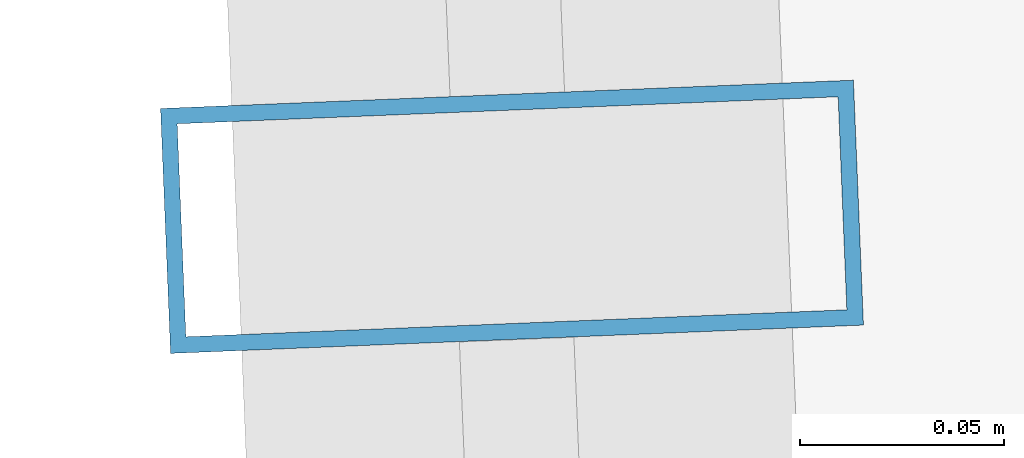
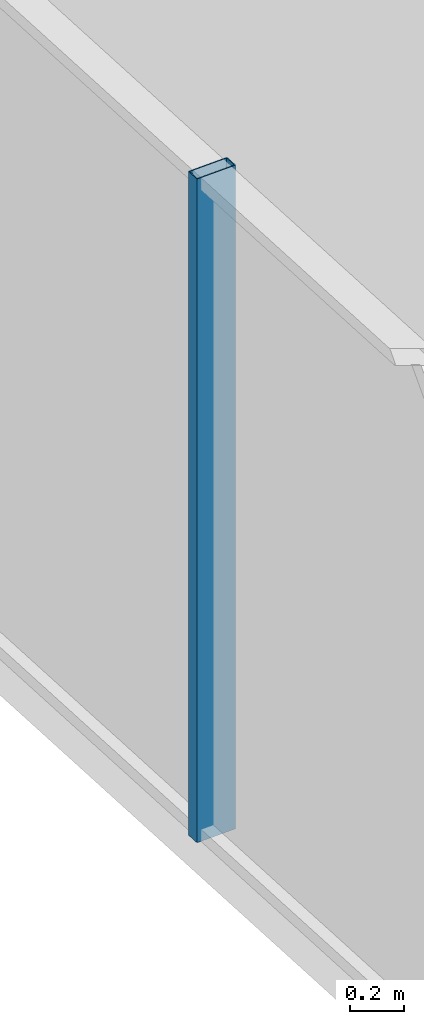
# One storey, part 9 of 32: 1 member, 1 element without a shape of its own.
"""IFC4 building model written with IfcOpenShell, lengths in metres."""

from ifc_helpers import new_model, si_unit, direction, frame, origin, origin_2d, place, context, subcontext, project, spatial, hollow_rectangle, extrude, source, transform, mapped, material, layer, layer_set, material_profile, profile_set, type_object, element, aggregate, save


model = new_model("IFC4")

# Units and contexts
model_context = context("Model", 3, precision=1e-05, world=origin(), true_north=direction((0.0, 1.0)))
body_context = subcontext(model_context, "Body", "Model", "MODEL_VIEW")
ifc_project = project(units=[si_unit("LENGTHUNIT", "METRE"), si_unit("AREAUNIT", "SQUARE_METRE"), si_unit("VOLUMEUNIT", "CUBIC_METRE"), si_unit("PLANEANGLEUNIT", "RADIAN"), si_unit("MASSUNIT", "GRAM", prefix="KILO")], contexts=[model_context])

# Site, building, storey
site_placement = place(None, origin())
site = spatial("IfcSite", under=ifc_project, at=site_placement, CompositionType="ELEMENT")
building_placement = place(site_placement, origin())
building = spatial("IfcBuilding", under=site, at=building_placement, Name="Veraguas Prism Commons", CompositionType="ELEMENT")
storey_placement = place(building_placement, frame((0.0, 0.0, 136.0)))
storey = spatial("IfcBuildingStorey", under=building, at=storey_placement, Name="L38", CompositionType="ELEMENT", Elevation=136.0)

# Curtain wall, member
ifc_material = material(Name="Anodised aluminium EN AW-6063 T6", Category="aluminium")
ifc_layer = layer(ifc_material, 0.169921875, Name="Unitised Flush Curtain Wall Zone 2", Category="aluminium")
ifc_layer_set = layer_set([ifc_layer], Name="Anodised aluminium EN AW-6063 T6")
curtain_wall_type = type_object("IfcCurtainWallType", Name="Unitised Flush Curtain Wall Zone 2", PredefinedType="NOTDEFINED", material=ifc_layer_set)
curtain_wall_placement = place(storey_placement, origin())
curtain_wall = element("IfcCurtainWall", 1, at=curtain_wall_placement, inside=storey, type_object=curtain_wall_type, Name="Tower Facade Curtain Wall L38-F3", PredefinedType="NOTDEFINED")
ifc_material_profile = material_profile(ifc_material, hollow_rectangle(XDim=0.06005859375, YDim=0.169921875, WallThickness=0.00390625, at=origin_2d()), Name="AL60X170X4")
ifc_profile_set = profile_set([ifc_material_profile], Name="Anodised aluminium EN AW-6063 T6")
member_type = type_object("IfcMemberType", Name="Curtain Wall Mullion Lower AL 60x170x4", PredefinedType="MULLION", material=ifc_profile_set)
shared_shape = source(origin(), body_context, "Body", "SweptSolid", [
    extrude(hollow_rectangle(XDim=0.06005859375, YDim=0.169921875, WallThickness=0.00390625, at=origin_2d()), origin(), (0.0, 0.0, 1.0), 3.0),
])
member_placement = place(storey_placement, frame((4.83349609375, 23.216796875, 0.0), z_axis=(0.0, 0.0, 1.0), x_axis=(0.040836327473, -0.999165849276, 0.0)))
member = element("IfcMember", 2, at=member_placement, type_object=member_type, Name="CW-Z2 Mullion 3", PredefinedType="MULLION", context=body_context, shape_type="MappedRepresentation", body=[
    mapped(shared_shape, transform((0.0, 0.0, 0.0), scale=1.0)),
])
aggregate(curtain_wall, [member])

save(model, "model.ifc")
